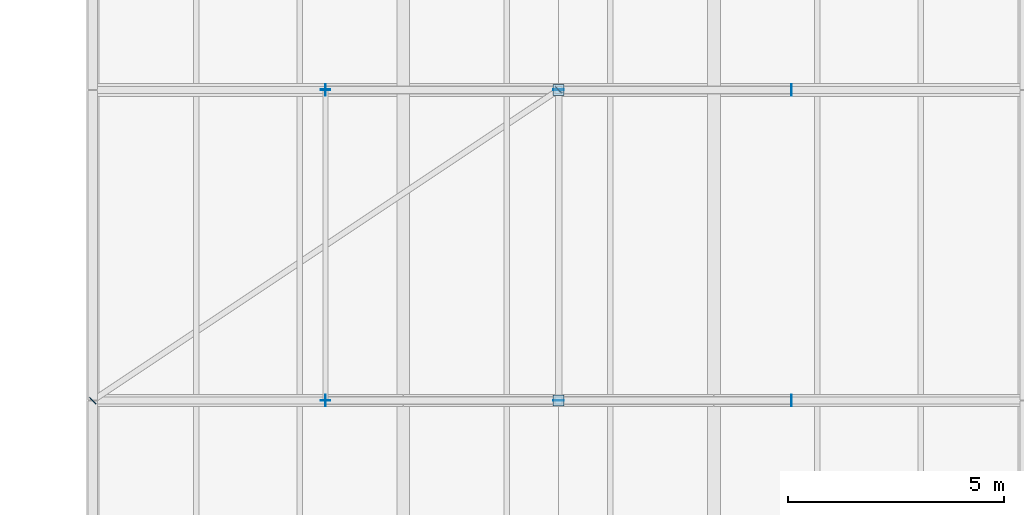
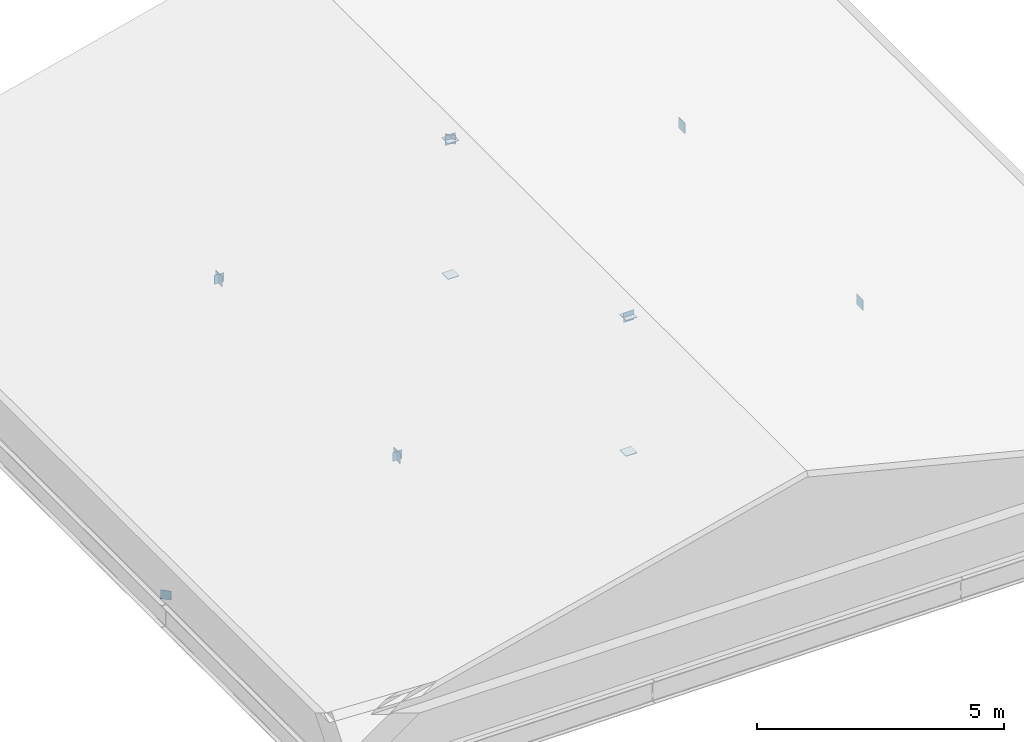
# One storey, part 50 of 91: 14 plates.
"""IFC4 building model written with IfcOpenShell, lengths in metres."""

from ifc_helpers import new_model, si_unit, direction, frame, origin, origin_2d, place, context, subcontext, project, spatial, rectangle, extrude, material, layer, layer_set, type_object, element, save


model = new_model("IFC4")

# Units and contexts
model_context = context("Model", 3, precision=1e-05, world=origin(), true_north=direction((0.0, 1.0)))
body_context = subcontext(model_context, "Body", "Model", "MODEL_VIEW")
ifc_project = project(units=[si_unit("LENGTHUNIT", "METRE"), si_unit("AREAUNIT", "SQUARE_METRE"), si_unit("VOLUMEUNIT", "CUBIC_METRE"), si_unit("PLANEANGLEUNIT", "RADIAN"), si_unit("MASSUNIT", "GRAM", prefix="KILO")], contexts=[model_context])

# Site, building, storey
site_placement = place(None, origin())
site = spatial("IfcSite", under=ifc_project, at=site_placement, CompositionType="ELEMENT")
building_placement = place(site_placement, origin())
building = spatial("IfcBuilding", under=site, at=building_placement, Name="Narikvali Park Central Library", CompositionType="ELEMENT")
storey_placement = place(building_placement, frame((0.0, 0.0, 14.39990234375)))
storey = spatial("IfcBuildingStorey", under=building, at=storey_placement, Name="L03", CompositionType="ELEMENT", Elevation=14.39990234375)

# Plates
ifc_material = material(Name="Steel S355", Category="steel")
ifc_layer = layer(ifc_material, 0.013916015625, Name="Steel S355")
ifc_layer_set = layer_set([ifc_layer], Name="Steel S355")
plate_type = type_object("IfcPlateType", Name="Steel Hollow End Cap Plate 14", PredefinedType="SHEET", material=ifc_layer_set)
for number, where, z_axis, x_axis, name in (
    (1, (10.800048828125, 7.199951171875, -0.2509765625), (0.0, 0.0, 1.0), (1.0, 0.0, 0.0), "Hollow Section Steel End Cap V2-KPCAP-B-1"),
    (2, (10.800048828125, 7.199951171875, 3.09716796875), (0.0, 0.0, 1.0), (1.0, 0.0, 0.0), "Hollow Section Steel End Cap V2-KPCAP-T-1"),
):
    element("IfcPlate", number, at=place(storey_placement, frame(where, z_axis=z_axis, x_axis=x_axis)), inside=storey, type_object=plate_type, Name=name, PredefinedType="SHEET", context=body_context, shape_type="SweptSolid", body=[
        extrude(rectangle(XDim=0.260009765625, YDim=0.260009765625, at=origin_2d()), origin(), (0.0, 0.0, 1.0), 0.013916015625),
    ])
for number, where, z_axis, x_axis, name in (
    (3, (5.39599609375, 7.199951171875, 1.419921875), (0.0, 0.0, 1.0), (-1.0, 0.0, 0.0), "Hollow Section Steel End Cap V2-CTCAP-W-1"),
    (4, (16.2041015625, 7.199951171875, 1.419921875), (0.0, 0.0, 1.0), (1.0, 0.0, 0.0), "Hollow Section Steel End Cap V2-CTCAP-E-1"),
):
    element("IfcPlate", number, at=place(storey_placement, frame(where, z_axis=z_axis, x_axis=x_axis)), inside=storey, type_object=plate_type, Name=name, PredefinedType="SHEET", context=body_context, shape_type="SweptSolid", body=[
        extrude(rectangle(XDim=0.013916015625, YDim=0.260009765625, at=origin_2d()), origin(), (0.0, 0.0, 1.0), 0.260009765625),
    ])
for number, where, z_axis, x_axis, name in (
    (5, (-0.002197265625, 7.19775390625, -0.1123046875), (0.0, 0.0, 1.0), (-0.707106781187, 0.707106781187, 0.0), "Hollow Section Steel End Cap V2-WBCAP-0-1"),
    (6, (10.80224609375, 14.40234375, 2.9921875), (0.0, 0.0, 1.0), (0.707106781187, -0.707106781187, 0.0), "Hollow Section Steel End Cap V2-WBCAP-1-1"),
):
    element("IfcPlate", number, at=place(storey_placement, frame(where, z_axis=z_axis, x_axis=x_axis)), inside=storey, type_object=plate_type, Name=name, PredefinedType="SHEET", context=body_context, shape_type="SweptSolid", body=[
        extrude(rectangle(XDim=0.219970703125, YDim=0.013916015625, at=origin_2d()), origin(), (0.0, 0.0, 1.0), 0.219970703125),
    ])
for number, where, z_axis, x_axis, name in (
    (7, (10.800048828125, 7.196044921875, 2.97998046875), (0.0, 0.0, 1.0), (-1.0, 0.0, 0.0), "Hollow Section Steel End Cap V2-RPCAP-S"),
    (8, (10.800048828125, 14.404052734375, 2.97998046875), (0.0, 0.0, 1.0), (1.0, 0.0, 0.0), "Hollow Section Steel End Cap V2-RPCAP-N"),
):
    element("IfcPlate", number, at=place(storey_placement, frame(where, z_axis=z_axis, x_axis=x_axis)), inside=storey, type_object=plate_type, Name=name, PredefinedType="SHEET", context=body_context, shape_type="SweptSolid", body=[
        extrude(rectangle(XDim=0.239990234375, YDim=0.013916015625, at=origin_2d()), origin(), (0.0, 0.0, 1.0), 0.239990234375),
    ])
for number, where, z_axis, x_axis, name in (
    (9, (5.39990234375, 7.196044921875, 1.43994140625), (0.0, 0.0, 1.0), (-1.0, 0.0, 0.0), "Hollow Section Steel End Cap V2-MPCAP-S"),
    (10, (5.39990234375, 14.404052734375, 1.43994140625), (0.0, 0.0, 1.0), (1.0, 0.0, 0.0), "Hollow Section Steel End Cap V2-MPCAP-N"),
):
    element("IfcPlate", number, at=place(storey_placement, frame(where, z_axis=z_axis, x_axis=x_axis)), inside=storey, type_object=plate_type, Name=name, PredefinedType="SHEET", context=body_context, shape_type="SweptSolid", body=[
        extrude(rectangle(XDim=0.219970703125, YDim=0.013916015625, at=origin_2d()), origin(), (0.0, 0.0, 1.0), 0.219970703125),
    ])
for number, where, z_axis, x_axis, name in (
    (11, (10.800048828125, 14.39990234375, -0.2509765625), (0.0, 0.0, 1.0), (1.0, 0.0, 0.0), "Hollow Section Steel End Cap V2-KPCAP-B-2"),
    (12, (10.800048828125, 14.39990234375, 3.09716796875), (0.0, 0.0, 1.0), (1.0, 0.0, 0.0), "Hollow Section Steel End Cap V2-KPCAP-T-2"),
):
    element("IfcPlate", number, at=place(storey_placement, frame(where, z_axis=z_axis, x_axis=x_axis)), inside=storey, type_object=plate_type, Name=name, PredefinedType="SHEET", context=body_context, shape_type="SweptSolid", body=[
        extrude(rectangle(XDim=0.260009765625, YDim=0.260009765625, at=origin_2d()), origin(), (0.0, 0.0, 1.0), 0.013916015625),
    ])
for number, where, z_axis, x_axis, name in (
    (13, (5.39599609375, 14.39990234375, 1.419921875), (0.0, 0.0, 1.0), (-1.0, 0.0, 0.0), "Hollow Section Steel End Cap V2-CTCAP-W-2"),
    (14, (16.2041015625, 14.39990234375, 1.419921875), (0.0, 0.0, 1.0), (1.0, 0.0, 0.0), "Hollow Section Steel End Cap V2-CTCAP-E-2"),
):
    element("IfcPlate", number, at=place(storey_placement, frame(where, z_axis=z_axis, x_axis=x_axis)), inside=storey, type_object=plate_type, Name=name, PredefinedType="SHEET", context=body_context, shape_type="SweptSolid", body=[
        extrude(rectangle(XDim=0.013916015625, YDim=0.260009765625, at=origin_2d()), origin(), (0.0, 0.0, 1.0), 0.260009765625),
    ])

save(model, "model.ifc")
